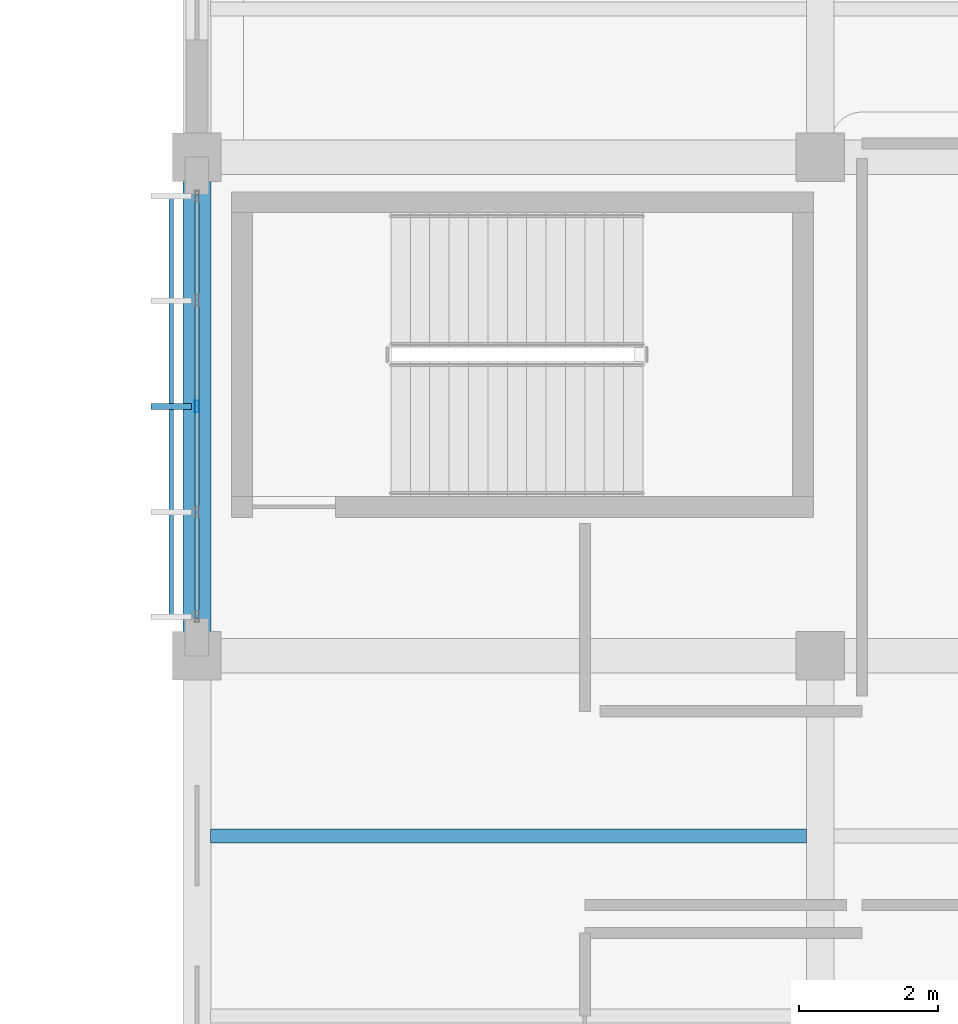
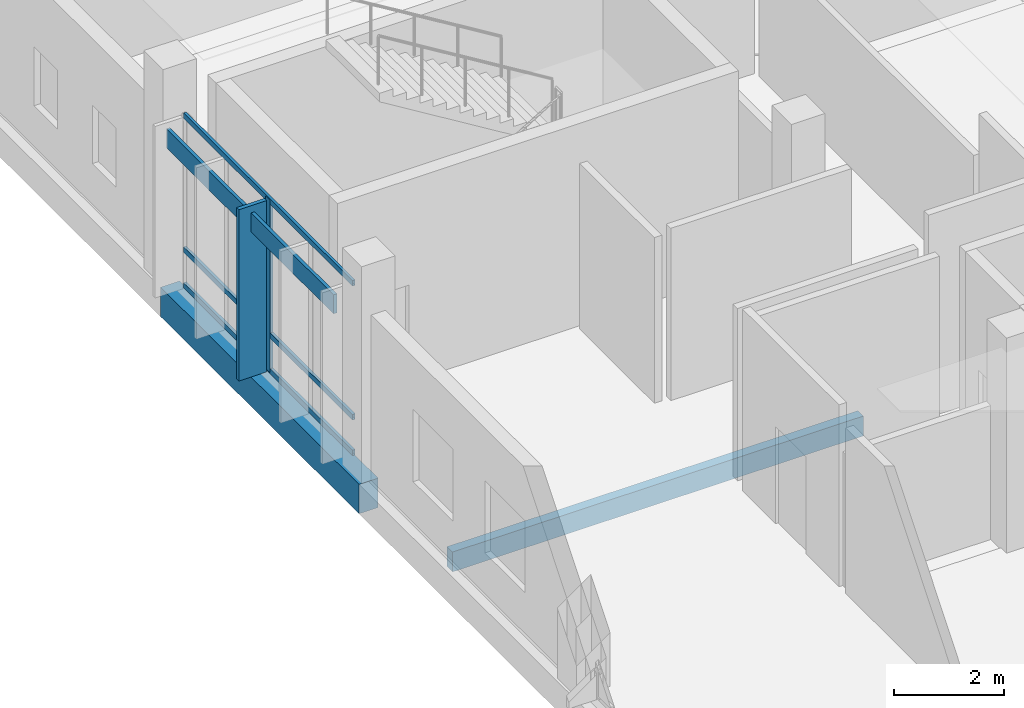
# One storey, part 91 of 177: 6 members, 2 beams, 1 element without a shape of its own.
"""IFC4 building model written with IfcOpenShell, lengths in metres."""

from ifc_helpers import new_model, si_unit, direction, frame, origin, origin_2d, place, context, subcontext, project, spatial, rectangle, hollow_rectangle, extrude, material, material_profile, profile_set, type_object, element, aggregate, save


model = new_model("IFC4")

# Units and contexts
model_context = context("Model", 3, precision=1e-05, world=origin(), true_north=direction((0.0, 1.0)))
body_context = subcontext(model_context, "Body", "Model", "MODEL_VIEW")
ifc_project = project(units=[si_unit("LENGTHUNIT", "METRE"), si_unit("AREAUNIT", "SQUARE_METRE"), si_unit("VOLUMEUNIT", "CUBIC_METRE"), si_unit("PLANEANGLEUNIT", "RADIAN"), si_unit("MASSUNIT", "GRAM", prefix="KILO")], contexts=[model_context])

# Site, building, storey
site_placement = place(None, origin())
site = spatial("IfcSite", under=ifc_project, at=site_placement, CompositionType="ELEMENT")
building_placement = place(site_placement, origin())
building = spatial("IfcBuilding", under=site, at=building_placement, Name="Chiffa Square Polytechnic", CompositionType="ELEMENT")
storey_placement = place(building_placement, frame((0.0, 0.0, 4.800048828125)))
storey = spatial("IfcBuildingStorey", under=building, at=storey_placement, Name="L01", CompositionType="ELEMENT", Elevation=4.800048828125)

# Beam
ifc_material_1 = material(Name="Concrete C35/45", Category="concrete")
ifc_material_profile_1 = material_profile(ifc_material_1, rectangle(XDim=0.39990234375, YDim=0.64990234375, at=origin_2d()), Name="RC 400x650")
ifc_profile_set_1 = profile_set([ifc_material_profile_1], Name="Concrete C35/45")
beam_type_1 = type_object("IfcBeamType", Name="BM-RC-400X650", PredefinedType="BEAM", material=ifc_profile_set_1)
beam_1_placement = place(storey_placement, frame((148.199951171875, 43.800048828125, -0.60498046875), z_axis=(0.0, 1.0, 0.0), x_axis=(-1.0, 0.0, 0.0)))
element("IfcBeam", 1, at=beam_1_placement, inside=storey, type_object=beam_type_1, Name="Primary floor girder BM-V1-L01-Y-1482-0438", PredefinedType="BEAM", context=body_context, shape_type="SweptSolid", body=[
    extrude(rectangle(XDim=0.39990234375, YDim=0.64990234375, at=origin_2d()), origin(), (0.0, 0.0, 1.0), 7.199951171875),
])

# Curtain wall, members
ifc_material_2 = material(Name="Aluminium EN AW-6060 T66 and glulam shading", Category="wood")
curtain_wall_type = type_object("IfcCurtainWallType", Name="CW-VERT-540X440", PredefinedType="USERDEFINED", material=ifc_material_2)
curtain_wall_placement = place(storey_placement, origin())
curtain_wall = element("IfcCurtainWall", 2, at=curtain_wall_placement, inside=storey, type_object=curtain_wall_type, Name="Curtain wall CW-V1-L01-127", ObjectType="CURTAIN WALL", PredefinedType="USERDEFINED")
ifc_material_3 = material(Name="Aluminium EN AW-6060 T66", Category="aluminium")
ifc_material_profile_2 = material_profile(ifc_material_3, hollow_rectangle(XDim=0.06005859375, YDim=0.159912109375, WallThickness=0.00390625, at=origin_2d()), Name="ALU 60x160x4")
ifc_profile_set_2 = profile_set([ifc_material_profile_2], Name="Aluminium EN AW-6060 T66")
member_type_1 = type_object("IfcMemberType", Name="CWM-ALU-65X150", PredefinedType="MULLION", material=ifc_profile_set_2)
member_1_placement = place(storey_placement, frame((148.199951171875, 47.39990234375, 0.0), z_axis=(0.0, 0.0, 1.0), x_axis=(1.0, 0.0, 0.0)))
member_1 = element("IfcMember", 3, at=member_1_placement, type_object=member_type_1, Name="Curtain wall mullion CW-V1-L01-127-M02", PredefinedType="MULLION", context=body_context, shape_type="SweptSolid", body=[
    extrude(hollow_rectangle(XDim=0.06005859375, YDim=0.159912109375, WallThickness=0.00390625, at=origin_2d()), origin(), (0.0, 0.0, 1.0), 3.81494140625),
])
ifc_material_4 = material(Name="Glulam GL28h", Category="wood")
ifc_material_profile_3 = material_profile(ifc_material_4, rectangle(XDim=0.080078125, YDim=0.580078125, at=origin_2d()), Name="GL28h 80x580")
ifc_profile_set_3 = profile_set([ifc_material_profile_3], Name="Glulam GL28h")
member_type_2 = type_object("IfcMemberType", Name="CWM-GL-80X580", PredefinedType="MULLION", material=ifc_profile_set_3)
member_2_placement = place(storey_placement, frame((147.827880859375, 47.39990234375, 0.010009765625), z_axis=(0.0, 0.0, 1.0), x_axis=(0.0, -1.0, 0.0)))
member_2 = element("IfcMember", 4, at=member_2_placement, type_object=member_type_2, Name="Exterior glulam solar fin CW-V1-L01-127-FN02", PredefinedType="MULLION", context=body_context, shape_type="SweptSolid", body=[
    extrude(rectangle(XDim=0.080078125, YDim=0.580078125, at=origin_2d()), origin(), (0.0, 0.0, 1.0), 3.794921875),
])
ifc_material_profile_4 = material_profile(ifc_material_3, hollow_rectangle(XDim=0.06005859375, YDim=0.1201171875, WallThickness=0.00390625, at=origin_2d()), Name="ALU 60x120x4")
ifc_profile_set_4 = profile_set([ifc_material_profile_4], Name="Aluminium EN AW-6060 T66")
member_type_3 = type_object("IfcMemberType", Name="CWT-ALU-65X120", PredefinedType="USERDEFINED", material=ifc_profile_set_4)
member_3_placement = place(storey_placement, frame((148.199951171875, 50.4619140625, 0.030029296875), z_axis=(0.0, -1.0, 0.0), x_axis=(1.0, 0.0, 0.0)))
member_3 = element("IfcMember", 5, at=member_3_placement, type_object=member_type_3, Name="Curtain wall transom CW-V1-L01-127-T01", ObjectType="TRANSOM", PredefinedType="USERDEFINED", context=body_context, shape_type="SweptSolid", body=[
    extrude(hollow_rectangle(XDim=0.06005859375, YDim=0.1201171875, WallThickness=0.00390625, at=origin_2d()), origin(), (0.0, 0.0, 1.0), 6.1240234375),
])
member_4_placement = place(storey_placement, frame((148.199951171875, 50.4619140625, 0.820068359375), z_axis=(0.0, -1.0, 0.0), x_axis=(1.0, 0.0, 0.0)))
member_4 = element("IfcMember", 6, at=member_4_placement, type_object=member_type_3, Name="Curtain wall transom CW-V1-L01-127-T02", ObjectType="TRANSOM", PredefinedType="USERDEFINED", context=body_context, shape_type="SweptSolid", body=[
    extrude(hollow_rectangle(XDim=0.06005859375, YDim=0.1201171875, WallThickness=0.00390625, at=origin_2d()), origin(), (0.0, 0.0, 1.0), 6.1240234375),
])
member_5_placement = place(storey_placement, frame((148.199951171875, 50.4619140625, 3.784912109375), z_axis=(0.0, -1.0, 0.0), x_axis=(1.0, 0.0, 0.0)))
member_5 = element("IfcMember", 7, at=member_5_placement, type_object=member_type_3, Name="Curtain wall transom CW-V1-L01-127-T03", ObjectType="TRANSOM", PredefinedType="USERDEFINED", context=body_context, shape_type="SweptSolid", body=[
    extrude(hollow_rectangle(XDim=0.06005859375, YDim=0.1201171875, WallThickness=0.00390625, at=origin_2d()), origin(), (0.0, 0.0, 1.0), 6.1240234375),
])
ifc_material_profile_5 = material_profile(ifc_material_4, rectangle(XDim=0.070068359375, YDim=0.419921875, at=origin_2d()), Name="GL28h 70x420")
ifc_profile_set_5 = profile_set([ifc_material_profile_5], Name="Glulam GL28h")
member_type_4 = type_object("IfcMemberType", Name="CWT-GL-70X420", PredefinedType="USERDEFINED", material=ifc_profile_set_5)
member_6_placement = place(storey_placement, frame((147.827880859375, 50.43505859375, 3.43505859375), z_axis=(0.0, -1.0, 0.0), x_axis=(1.0, 0.0, 0.0)))
member_6 = element("IfcMember", 8, at=member_6_placement, type_object=member_type_4, Name="Exterior glulam brise-soleil CW-V1-L01-127-BS01", ObjectType="TRANSOM", PredefinedType="USERDEFINED", context=body_context, shape_type="SweptSolid", body=[
    extrude(rectangle(XDim=0.070068359375, YDim=0.419921875, at=origin_2d()), origin(), (0.0, 0.0, 1.0), 6.070068359375),
])
aggregate(curtain_wall, [member_1, member_2, member_3, member_4, member_5, member_6])

# Beam
ifc_material_profile_6 = material_profile(ifc_material_4, rectangle(XDim=0.199951171875, YDim=0.43994140625, at=origin_2d()), Name="GL28h 200x440")
ifc_profile_set_6 = profile_set([ifc_material_profile_6], Name="Glulam GL28h")
beam_type_2 = type_object("IfcBeamType", Name="JST-GL-200X440", PredefinedType="JOIST", material=ifc_profile_set_6)
beam_2_placement = place(storey_placement, frame((148.39794921875, 41.199951171875, -0.5), z_axis=(1.0, 0.0, 0.0), x_axis=(0.0, 1.0, 0.0)))
element("IfcBeam", 9, at=beam_2_placement, inside=storey, type_object=beam_type_2, Name="Secondary floor joist JST-V1-L01-1482-0412", PredefinedType="JOIST", context=body_context, shape_type="SweptSolid", body=[
    extrude(rectangle(XDim=0.199951171875, YDim=0.43994140625, at=origin_2d()), origin(), (0.0, 0.0, 1.0), 8.60400390625),
])

save(model, "model.ifc")
